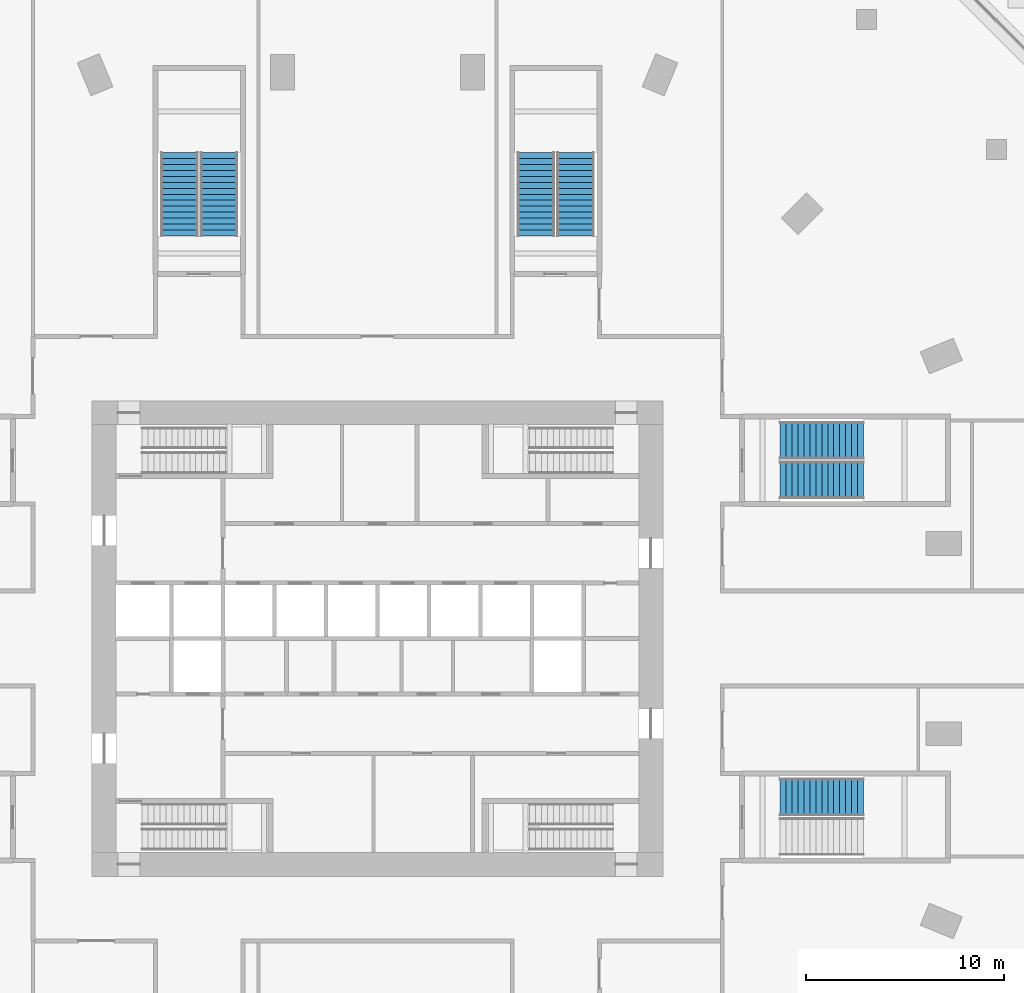
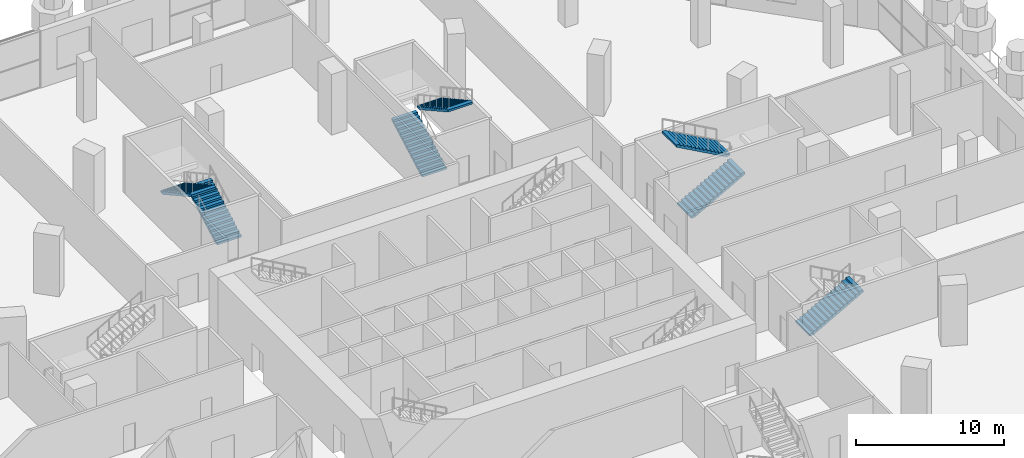
# One storey, part 28 of 32: 7 stair flights, 4 elements without a shape of their own.
"""IFC4 building model written with IfcOpenShell, lengths in metres."""

from ifc_helpers import new_model, si_unit, direction, frame, origin, place, context, subcontext, project, spatial, polyline, outline, extrude, material, type_object, element, aggregate, save


model = new_model("IFC4")

# Units and contexts
model_context = context("Model", 3, precision=1e-05, world=origin(), true_north=direction((0.0, 1.0)))
body_context = subcontext(model_context, "Body", "Model", "MODEL_VIEW")
ifc_project = project(units=[si_unit("LENGTHUNIT", "METRE"), si_unit("AREAUNIT", "SQUARE_METRE"), si_unit("VOLUMEUNIT", "CUBIC_METRE"), si_unit("PLANEANGLEUNIT", "RADIAN"), si_unit("MASSUNIT", "GRAM", prefix="KILO")], contexts=[model_context])

# Site, building, storey
site_placement = place(None, origin())
site = spatial("IfcSite", under=ifc_project, at=site_placement, CompositionType="ELEMENT")
building_placement = place(site_placement, origin())
building = spatial("IfcBuilding", under=site, at=building_placement, Name="Msitu Wima Residences", CompositionType="ELEMENT")
storey_placement = place(building_placement, frame((0.0, 0.0, 6.0)))
storey = spatial("IfcBuildingStorey", under=building, at=storey_placement, Name="L01", CompositionType="ELEMENT", Elevation=6.0)

# Stair, stair flights
ifc_material = material(Name="Concrete C40/50", Category="concrete")
stair_type = type_object("IfcStairType", Name="Podium exit stair PX1667-190", PredefinedType="HALF_TURN_STAIR", material=ifc_material)
stair_1_placement = place(storey_placement, origin())
stair_1 = element("IfcStair", 1, at=stair_1_placement, inside=storey, type_object=stair_type, Name="Podium exit stair 1", PredefinedType="HALF_TURN_STAIR")
stair_flight_type = type_object("IfcStairFlightType", Name="Podium exit stair flight PX1667-190", PredefinedType="STRAIGHT", material=ifc_material)
stair_flight_1_placement = place(storey_placement, frame((20.324951171875, 8.0, 0.0), z_axis=(0.0, 0.0, 1.0), x_axis=(1.0, 0.0, 0.0)))
stair_flight_1 = element("IfcStairFlight", 2, at=stair_flight_1_placement, type_object=stair_flight_type, Name="PS1 flight 1", NumberOfRisers=15, NumberOfTreads=14, PredefinedType="STRAIGHT", RiserHeight=0.166666667, TreadLength=0.3, context=body_context, shape_type="SweptSolid", body=[
    extrude(outline(polyline([(0.0, 0.0), (0.0, 0.166748046875), (0.300048828125, 0.166748046875), (0.300048828125, 0.333251953125), (0.60009765625, 0.333251953125), (0.60009765625, 0.5), (0.89990234375, 0.5), (0.89990234375, 0.666748046875), (1.199951171875, 0.666748046875), (1.199951171875, 0.833251953125), (1.5, 0.833251953125), (1.5, 1.0), (1.800048828125, 1.0), (1.800048828125, 1.166748046875), (2.10009765625, 1.166748046875), (2.10009765625, 1.333251953125), (2.39990234375, 1.333251953125), (2.39990234375, 1.5), (2.699951171875, 1.5), (2.699951171875, 1.666748046875), (3.0, 1.666748046875), (3.0, 1.833251953125), (3.300048828125, 1.833251953125), (3.300048828125, 2.0), (3.60009765625, 2.0), (3.60009765625, 2.166748046875), (3.89990234375, 2.166748046875), (3.89990234375, 2.333251953125), (4.199951171875, 2.333251953125), (4.199951171875, 2.5), (4.199951171875, 2.161865234375), (0.30859375, 0.0), (0.0, 0.0)])), frame((0.0, 0.949951171875, 0.0), z_axis=(0.0, -1.0, 0.0), x_axis=(1.0, 0.0, 0.0)), (0.0, 0.0, 1.0), 1.89990234375),
])
stair_flight_2_placement = place(storey_placement, frame((24.52490234375, 10.0, 2.5), z_axis=(0.0, 0.0, 1.0), x_axis=(-1.0, 0.0, 0.0)))
stair_flight_2 = element("IfcStairFlight", 3, at=stair_flight_2_placement, type_object=stair_flight_type, Name="PS1 flight 2", NumberOfRisers=15, NumberOfTreads=14, PredefinedType="STRAIGHT", RiserHeight=0.166666667, TreadLength=0.3, context=body_context, shape_type="SweptSolid", body=[
    extrude(outline(polyline([(0.0, 0.0), (0.0, 0.166748046875), (0.300048828125, 0.166748046875), (0.300048828125, 0.333251953125), (0.60009765625, 0.333251953125), (0.60009765625, 0.5), (0.89990234375, 0.5), (0.89990234375, 0.666748046875), (1.199951171875, 0.666748046875), (1.199951171875, 0.833251953125), (1.5, 0.833251953125), (1.5, 1.0), (1.800048828125, 1.0), (1.800048828125, 1.166748046875), (2.10009765625, 1.166748046875), (2.10009765625, 1.333251953125), (2.39990234375, 1.333251953125), (2.39990234375, 1.5), (2.699951171875, 1.5), (2.699951171875, 1.666748046875), (3.0, 1.666748046875), (3.0, 1.833251953125), (3.300048828125, 1.833251953125), (3.300048828125, 2.0), (3.60009765625, 2.0), (3.60009765625, 2.166748046875), (3.89990234375, 2.166748046875), (3.89990234375, 2.333251953125), (4.199951171875, 2.333251953125), (4.199951171875, 2.5), (4.199951171875, 2.161865234375), (0.30859375, 0.0), (0.0, 0.0)])), frame((0.0, 0.949951171875, 0.0), z_axis=(0.0, -1.0, 0.0), x_axis=(1.0, 0.0, 0.0)), (0.0, 0.0, 1.0), 1.89990234375),
])
aggregate(stair_1, [stair_flight_1, stair_flight_2])

# Stair, stair flight
stair_2_placement = place(storey_placement, origin())
stair_2 = element("IfcStair", 4, at=stair_2_placement, inside=storey, type_object=stair_type, Name="Podium exit stair 2", PredefinedType="HALF_TURN_STAIR")
stair_flight_3_placement = place(storey_placement, frame((20.324951171875, -8.0, 0.0), z_axis=(0.0, 0.0, 1.0), x_axis=(1.0, 0.0, 0.0)))
stair_flight_3 = element("IfcStairFlight", 5, at=stair_flight_3_placement, type_object=stair_flight_type, Name="PS2 flight 1", NumberOfRisers=15, NumberOfTreads=14, PredefinedType="STRAIGHT", RiserHeight=0.166666667, TreadLength=0.3, context=body_context, shape_type="SweptSolid", body=[
    extrude(outline(polyline([(0.0, 0.0), (0.0, 0.166748046875), (0.300048828125, 0.166748046875), (0.300048828125, 0.333251953125), (0.60009765625, 0.333251953125), (0.60009765625, 0.5), (0.89990234375, 0.5), (0.89990234375, 0.666748046875), (1.199951171875, 0.666748046875), (1.199951171875, 0.833251953125), (1.5, 0.833251953125), (1.5, 1.0), (1.800048828125, 1.0), (1.800048828125, 1.166748046875), (2.10009765625, 1.166748046875), (2.10009765625, 1.333251953125), (2.39990234375, 1.333251953125), (2.39990234375, 1.5), (2.699951171875, 1.5), (2.699951171875, 1.666748046875), (3.0, 1.666748046875), (3.0, 1.833251953125), (3.300048828125, 1.833251953125), (3.300048828125, 2.0), (3.60009765625, 2.0), (3.60009765625, 2.166748046875), (3.89990234375, 2.166748046875), (3.89990234375, 2.333251953125), (4.199951171875, 2.333251953125), (4.199951171875, 2.5), (4.199951171875, 2.161865234375), (0.30859375, 0.0), (0.0, 0.0)])), frame((0.0, 0.949951171875, 0.0), z_axis=(0.0, -1.0, 0.0), x_axis=(1.0, 0.0, 0.0)), (0.0, 0.0, 1.0), 1.89990234375),
])
aggregate(stair_2, [stair_flight_3])

# Stair, stair flights
stair_3_placement = place(storey_placement, origin())
stair_3 = element("IfcStair", 6, at=stair_3_placement, inside=storey, type_object=stair_type, Name="Podium exit stair 3", PredefinedType="HALF_TURN_STAIR")
stair_flight_4_placement = place(storey_placement, frame((-8.0, 20.324951171875, 0.0), z_axis=(0.0, 0.0, 1.0), x_axis=(0.0, 1.0, 0.0)))
stair_flight_4 = element("IfcStairFlight", 7, at=stair_flight_4_placement, type_object=stair_flight_type, Name="PS3 flight 1", NumberOfRisers=15, NumberOfTreads=14, PredefinedType="STRAIGHT", RiserHeight=0.166666667, TreadLength=0.3, context=body_context, shape_type="SweptSolid", body=[
    extrude(outline(polyline([(0.0, 0.0), (0.0, 0.166748046875), (0.300048828125, 0.166748046875), (0.300048828125, 0.333251953125), (0.60009765625, 0.333251953125), (0.60009765625, 0.5), (0.89990234375, 0.5), (0.89990234375, 0.666748046875), (1.199951171875, 0.666748046875), (1.199951171875, 0.833251953125), (1.5, 0.833251953125), (1.5, 1.0), (1.800048828125, 1.0), (1.800048828125, 1.166748046875), (2.10009765625, 1.166748046875), (2.10009765625, 1.333251953125), (2.39990234375, 1.333251953125), (2.39990234375, 1.5), (2.699951171875, 1.5), (2.699951171875, 1.666748046875), (3.0, 1.666748046875), (3.0, 1.833251953125), (3.300048828125, 1.833251953125), (3.300048828125, 2.0), (3.60009765625, 2.0), (3.60009765625, 2.166748046875), (3.89990234375, 2.166748046875), (3.89990234375, 2.333251953125), (4.199951171875, 2.333251953125), (4.199951171875, 2.5), (4.199951171875, 2.161865234375), (0.30859375, 0.0), (0.0, 0.0)])), frame((0.0, 0.949951171875, 0.0), z_axis=(0.0, -1.0, 0.0), x_axis=(1.0, 0.0, 0.0)), (0.0, 0.0, 1.0), 1.89990234375),
])
stair_flight_5_placement = place(storey_placement, frame((-10.0, 24.52490234375, 2.5), z_axis=(0.0, 0.0, 1.0), x_axis=(0.0, -1.0, 0.0)))
stair_flight_5 = element("IfcStairFlight", 8, at=stair_flight_5_placement, type_object=stair_flight_type, Name="PS3 flight 2", NumberOfRisers=15, NumberOfTreads=14, PredefinedType="STRAIGHT", RiserHeight=0.166666667, TreadLength=0.3, context=body_context, shape_type="SweptSolid", body=[
    extrude(outline(polyline([(0.0, 0.0), (0.0, 0.166748046875), (0.300048828125, 0.166748046875), (0.300048828125, 0.333251953125), (0.60009765625, 0.333251953125), (0.60009765625, 0.5), (0.89990234375, 0.5), (0.89990234375, 0.666748046875), (1.199951171875, 0.666748046875), (1.199951171875, 0.833251953125), (1.5, 0.833251953125), (1.5, 1.0), (1.800048828125, 1.0), (1.800048828125, 1.166748046875), (2.10009765625, 1.166748046875), (2.10009765625, 1.333251953125), (2.39990234375, 1.333251953125), (2.39990234375, 1.5), (2.699951171875, 1.5), (2.699951171875, 1.666748046875), (3.0, 1.666748046875), (3.0, 1.833251953125), (3.300048828125, 1.833251953125), (3.300048828125, 2.0), (3.60009765625, 2.0), (3.60009765625, 2.166748046875), (3.89990234375, 2.166748046875), (3.89990234375, 2.333251953125), (4.199951171875, 2.333251953125), (4.199951171875, 2.5), (4.199951171875, 2.161865234375), (0.30859375, 0.0), (0.0, 0.0)])), frame((0.0, 0.949951171875, 0.0), z_axis=(0.0, -1.0, 0.0), x_axis=(1.0, 0.0, 0.0)), (0.0, 0.0, 1.0), 1.89990234375),
])
aggregate(stair_3, [stair_flight_4, stair_flight_5])

stair_4_placement = place(storey_placement, origin())
stair_4 = element("IfcStair", 9, at=stair_4_placement, inside=storey, type_object=stair_type, Name="Podium exit stair 4", PredefinedType="HALF_TURN_STAIR")
stair_flight_6_placement = place(storey_placement, frame((8.0, 20.324951171875, 0.0), z_axis=(0.0, 0.0, 1.0), x_axis=(0.0, 1.0, 0.0)))
stair_flight_6 = element("IfcStairFlight", 10, at=stair_flight_6_placement, type_object=stair_flight_type, Name="PS4 flight 1", NumberOfRisers=15, NumberOfTreads=14, PredefinedType="STRAIGHT", RiserHeight=0.166666667, TreadLength=0.3, context=body_context, shape_type="SweptSolid", body=[
    extrude(outline(polyline([(0.0, 0.0), (0.0, 0.166748046875), (0.300048828125, 0.166748046875), (0.300048828125, 0.333251953125), (0.60009765625, 0.333251953125), (0.60009765625, 0.5), (0.89990234375, 0.5), (0.89990234375, 0.666748046875), (1.199951171875, 0.666748046875), (1.199951171875, 0.833251953125), (1.5, 0.833251953125), (1.5, 1.0), (1.800048828125, 1.0), (1.800048828125, 1.166748046875), (2.10009765625, 1.166748046875), (2.10009765625, 1.333251953125), (2.39990234375, 1.333251953125), (2.39990234375, 1.5), (2.699951171875, 1.5), (2.699951171875, 1.666748046875), (3.0, 1.666748046875), (3.0, 1.833251953125), (3.300048828125, 1.833251953125), (3.300048828125, 2.0), (3.60009765625, 2.0), (3.60009765625, 2.166748046875), (3.89990234375, 2.166748046875), (3.89990234375, 2.333251953125), (4.199951171875, 2.333251953125), (4.199951171875, 2.5), (4.199951171875, 2.161865234375), (0.30859375, 0.0), (0.0, 0.0)])), frame((0.0, 0.949951171875, 0.0), z_axis=(0.0, -1.0, 0.0), x_axis=(1.0, 0.0, 0.0)), (0.0, 0.0, 1.0), 1.89990234375),
])
stair_flight_7_placement = place(storey_placement, frame((10.0, 24.52490234375, 2.5), z_axis=(0.0, 0.0, 1.0), x_axis=(0.0, -1.0, 0.0)))
stair_flight_7 = element("IfcStairFlight", 11, at=stair_flight_7_placement, type_object=stair_flight_type, Name="PS4 flight 2", NumberOfRisers=15, NumberOfTreads=14, PredefinedType="STRAIGHT", RiserHeight=0.166666667, TreadLength=0.3, context=body_context, shape_type="SweptSolid", body=[
    extrude(outline(polyline([(0.0, 0.0), (0.0, 0.166748046875), (0.300048828125, 0.166748046875), (0.300048828125, 0.333251953125), (0.60009765625, 0.333251953125), (0.60009765625, 0.5), (0.89990234375, 0.5), (0.89990234375, 0.666748046875), (1.199951171875, 0.666748046875), (1.199951171875, 0.833251953125), (1.5, 0.833251953125), (1.5, 1.0), (1.800048828125, 1.0), (1.800048828125, 1.166748046875), (2.10009765625, 1.166748046875), (2.10009765625, 1.333251953125), (2.39990234375, 1.333251953125), (2.39990234375, 1.5), (2.699951171875, 1.5), (2.699951171875, 1.666748046875), (3.0, 1.666748046875), (3.0, 1.833251953125), (3.300048828125, 1.833251953125), (3.300048828125, 2.0), (3.60009765625, 2.0), (3.60009765625, 2.166748046875), (3.89990234375, 2.166748046875), (3.89990234375, 2.333251953125), (4.199951171875, 2.333251953125), (4.199951171875, 2.5), (4.199951171875, 2.161865234375), (0.30859375, 0.0), (0.0, 0.0)])), frame((0.0, 0.949951171875, 0.0), z_axis=(0.0, -1.0, 0.0), x_axis=(1.0, 0.0, 0.0)), (0.0, 0.0, 1.0), 1.89990234375),
])
aggregate(stair_4, [stair_flight_6, stair_flight_7])

save(model, "model.ifc")
